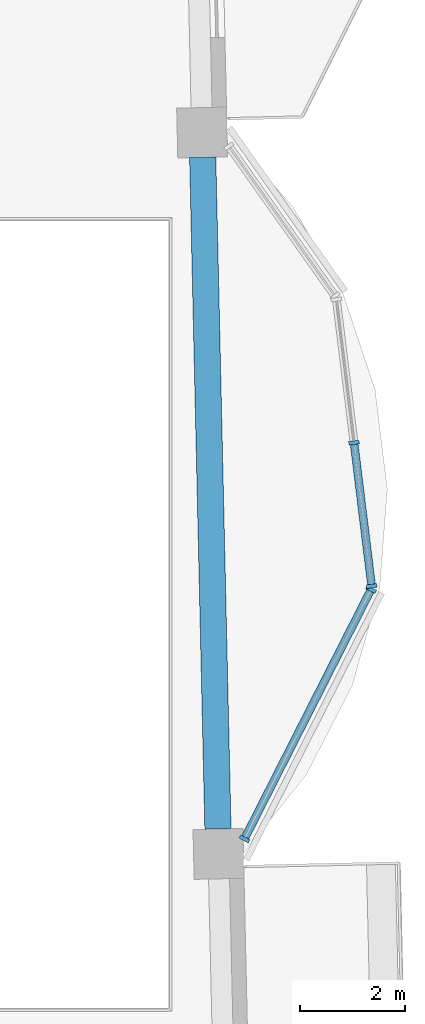
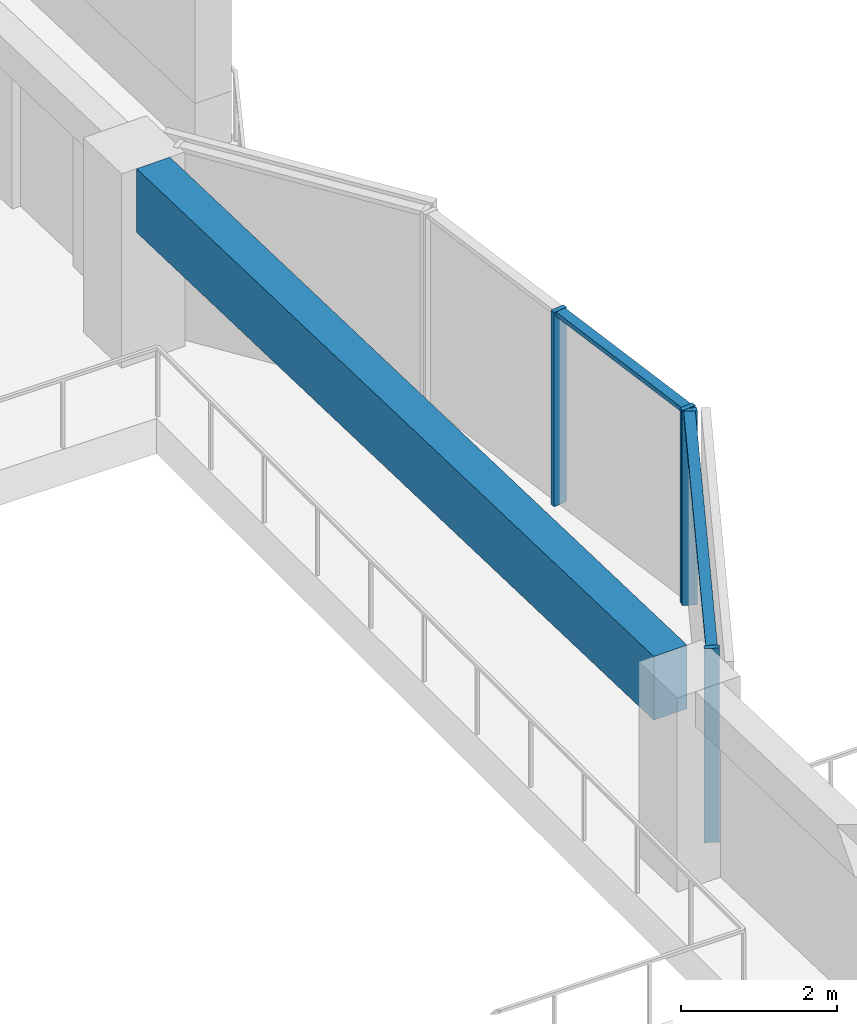
# One storey, part 2 of 18: 6 members, 1 beam, 2 elements without a shape of their own.
"""IFC4 building model written with IfcOpenShell, lengths in metres."""

from ifc_helpers import new_model, si_unit, direction, frame, origin, origin_2d, place, context, subcontext, project, spatial, rectangle, extrude, material, material_profile, profile_set, type_object, element, aggregate, save


model = new_model("IFC4")

# Units and contexts
model_context = context("Model", 3, precision=1e-05, world=origin(), true_north=direction((0.0, 1.0)))
body_context = subcontext(model_context, "Body", "Model", "MODEL_VIEW")
ifc_project = project(units=[si_unit("LENGTHUNIT", "METRE"), si_unit("AREAUNIT", "SQUARE_METRE"), si_unit("VOLUMEUNIT", "CUBIC_METRE"), si_unit("PLANEANGLEUNIT", "RADIAN"), si_unit("MASSUNIT", "GRAM", prefix="KILO")], contexts=[model_context])

# Site, building, storey
site_placement = place(None, origin())
site = spatial("IfcSite", under=ifc_project, at=site_placement, CompositionType="ELEMENT")
building_placement = place(site_placement, origin())
building = spatial("IfcBuilding", under=site, at=building_placement, Name="Mangrove Gate Tower", CompositionType="ELEMENT")
storey_placement = place(building_placement, frame((0.0, 0.0, 290.699951171875)))
storey = spatial("IfcBuildingStorey", under=building, at=storey_placement, Name="L74", CompositionType="ELEMENT", Elevation=290.699951171875)

# Curtain wall, members
ifc_material_1 = material(Name="Aluminium and glass curtain wall", Category="aluminium")
curtain_wall_type = type_object("IfcCurtainWallType", Name="Atrium garden-court glazing wall", PredefinedType="NOTDEFINED", material=ifc_material_1)
curtain_wall_1_placement = place(storey_placement, origin())
curtain_wall_1 = element("IfcCurtainWall", 1, at=curtain_wall_1_placement, inside=storey, type_object=curtain_wall_type, Name="Atrium garden-court glazing E1f1", PredefinedType="NOTDEFINED")
ifc_material_2 = material(Name="Aluminium alloy 6063-T6", Category="aluminium")
ifc_material_profile_1 = material_profile(ifc_material_2, rectangle(XDim=0.070068359375, YDim=0.199951171875, at=origin_2d()))
ifc_profile_set_1 = profile_set([ifc_material_profile_1], Name="Aluminium alloy 6063-T6")
member_type_1 = type_object("IfcMemberType", Name="Atrium garden-court glazing mullion 70x200", PredefinedType="MULLION", material=ifc_profile_set_1)
member_1_placement = place(storey_placement, frame((31.336181640625, -4.276611328125, 0.0), z_axis=(0.0, 0.0, 1.0), x_axis=(0.452617386511, 0.891704828644, 0.0)))
member_1 = element("IfcMember", 2, at=member_1_placement, type_object=member_type_1, Name="CWA mullion 1", PredefinedType="MULLION", context=body_context, shape_type="SweptSolid", body=[
    extrude(rectangle(XDim=0.070068359375, YDim=0.199951171875, at=origin_2d()), origin(), (0.0, 0.0, 1.0), 3.050048828125),
])
member_2_placement = place(storey_placement, frame((33.748046875, 0.474853515625, 0.0), z_axis=(0.0, 0.0, 1.0), x_axis=(0.452617386511, 0.891704828644, 0.0)))
member_2 = element("IfcMember", 3, at=member_2_placement, type_object=member_type_1, Name="CWA mullion 2", PredefinedType="MULLION", context=body_context, shape_type="SweptSolid", body=[
    extrude(rectangle(XDim=0.070068359375, YDim=0.199951171875, at=origin_2d()), origin(), (0.0, 0.0, 1.0), 3.050048828125),
])

curtain_wall_2_placement = place(storey_placement, origin())
curtain_wall_2 = element("IfcCurtainWall", 4, at=curtain_wall_2_placement, inside=storey, type_object=curtain_wall_type, Name="Atrium garden-court glazing E1f2", PredefinedType="NOTDEFINED")
member_3_placement = place(storey_placement, frame((33.759521484375, 0.540771484375, 0.0), z_axis=(0.0, 0.0, 1.0), x_axis=(-0.122172285885, 0.992508908051, 0.0)))
member_3 = element("IfcMember", 5, at=member_3_placement, type_object=member_type_1, Name="CWA mullion 1", PredefinedType="MULLION", context=body_context, shape_type="SweptSolid", body=[
    extrude(rectangle(XDim=0.070068359375, YDim=0.199951171875, at=origin_2d()), origin(), (0.0, 0.0, 1.0), 3.050048828125),
])
member_4_placement = place(storey_placement, frame((33.42333984375, 3.27197265625, 0.0), z_axis=(0.0, 0.0, 1.0), x_axis=(-0.122172285885, 0.992508908051, 0.0)))
member_4 = element("IfcMember", 6, at=member_4_placement, type_object=member_type_1, Name="CWA mullion 2", PredefinedType="MULLION", context=body_context, shape_type="SweptSolid", body=[
    extrude(rectangle(XDim=0.070068359375, YDim=0.199951171875, at=origin_2d()), origin(), (0.0, 0.0, 1.0), 3.050048828125),
])

# Member
ifc_material_3 = material(Name="Aluminium alloy 6063-T6", Category="aluminium")
ifc_material_profile_2 = material_profile(ifc_material_3, rectangle(XDim=0.070068359375, YDim=0.14990234375, at=origin_2d()))
ifc_profile_set_2 = profile_set([ifc_material_profile_2], Name="Aluminium alloy 6063-T6")
member_type_2 = type_object("IfcMemberType", Name="Atrium garden-court glazing transom 70x150", PredefinedType="USERDEFINED", material=ifc_profile_set_2)
member_5_placement = place(storey_placement, frame((31.35205078125, -4.245361328125, 3.01513671875), z_axis=(0.452628185689, 0.891699347045, 0.0), x_axis=(0.0, 0.0, 1.0)))
member_5 = element("IfcMember", 7, at=member_5_placement, type_object=member_type_2, Name="CWA transom 1.2", ObjectType="TRANSOM", PredefinedType="USERDEFINED", context=body_context, shape_type="SweptSolid", body=[
    extrude(rectangle(XDim=0.070068359375, YDim=0.14990234375, at=origin_2d()), origin(), (0.0, 0.0, 1.0), 5.258544921875),
])

aggregate(curtain_wall_1, [member_1, member_2, member_5])

member_6_placement = place(storey_placement, frame((33.75537109375, 0.575439453125, 3.01513671875), z_axis=(-0.122174517154, 0.992508633392, 0.0), x_axis=(0.0, 0.0, 1.0)))
member_6 = element("IfcMember", 8, at=member_6_placement, type_object=member_type_2, Name="CWA transom 1.2", ObjectType="TRANSOM", PredefinedType="USERDEFINED", context=body_context, shape_type="SweptSolid", body=[
    extrude(rectangle(XDim=0.070068359375, YDim=0.14990234375, at=origin_2d()), origin(), (0.0, 0.0, 1.0), 2.681640625),
])

aggregate(curtain_wall_2, [member_3, member_4, member_6])

# Beam
ifc_material_4 = material(Name="Concrete C50/60", Category="concrete")
ifc_material_profile_3 = material_profile(ifc_material_4, rectangle(XDim=0.5, YDim=1.0, at=origin_2d()))
ifc_profile_set_3 = profile_set([ifc_material_profile_3], Name="Concrete C50/60")
beam_type = type_object("IfcBeamType", Name="Edge beam RC 500x1000 C50/60", PredefinedType="BEAM", material=ifc_profile_set_3)
beam_placement = place(storey_placement, frame((30.830322265625, -4.0888671875, 2.550048828125), z_axis=(-0.022696710072, 0.999742396496, 0.0), x_axis=(-0.999742396496, -0.022696710072, 0.0)))
element("IfcBeam", 9, at=beam_placement, inside=storey, type_object=beam_type, Name="Edge beam L74 16", PredefinedType="BEAM", context=body_context, shape_type="SweptSolid", body=[
    extrude(rectangle(XDim=0.5, YDim=1.0, at=origin_2d()), origin(), (0.0, 0.0, 1.0), 12.800537109375),
])

save(model, "model.ifc")
